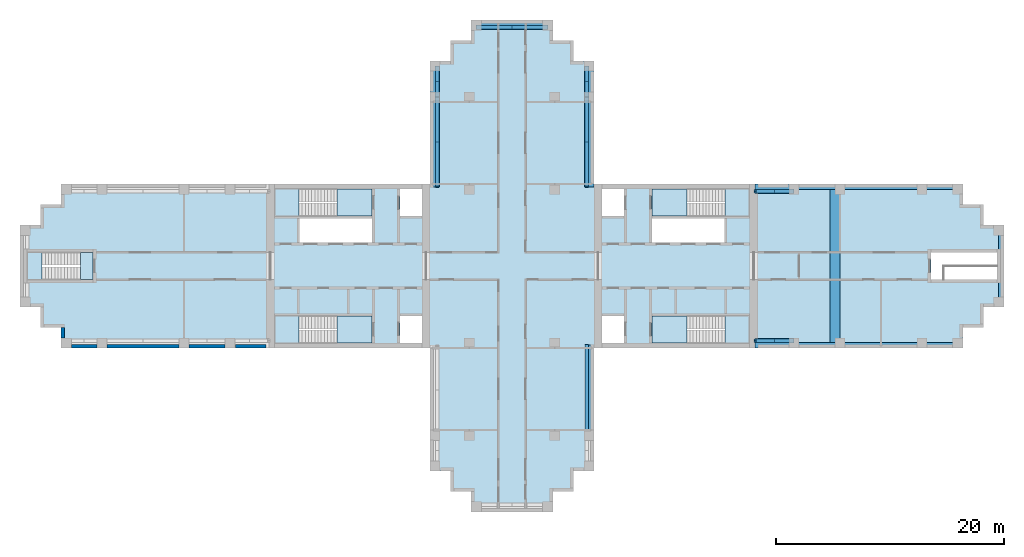
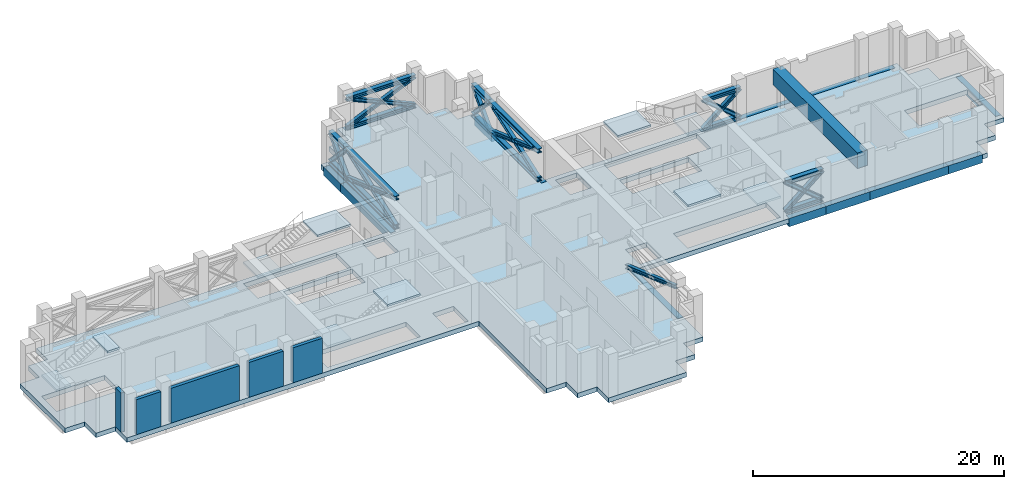
# One storey, part 2 of 9: 29 members, 16 beams, 11 slabs, 5 walls, 5 elements without a shape of their own.
"""IFC4 building model written with IfcOpenShell, lengths in metres."""

from ifc_helpers import new_model, si_unit, direction, frame, frame_2d, origin, origin_2d, place, context, subcontext, project, spatial, polyline, rectangle, i_section, outline, extrude, material, layer, layer_set, material_profile, profile_set, type_object, element, aggregate, save


model = new_model("IFC4")

# Units and contexts
model_context = context("Model", 3, precision=1e-05, world=origin(), true_north=direction((0.0, 1.0)))
body_context = subcontext(model_context, "Body", "Model", "MODEL_VIEW")
ifc_project = project(units=[si_unit("LENGTHUNIT", "METRE"), si_unit("AREAUNIT", "SQUARE_METRE"), si_unit("VOLUMEUNIT", "CUBIC_METRE"), si_unit("PLANEANGLEUNIT", "RADIAN"), si_unit("MASSUNIT", "GRAM", prefix="KILO")], contexts=[model_context])

# Site, building, storey
site_placement = place(None, origin())
site = spatial("IfcSite", under=ifc_project, at=site_placement, CompositionType="ELEMENT")
building_placement = place(site_placement, origin())
building = spatial("IfcBuilding", under=site, at=building_placement, Name="Fustian Cross Tower", CompositionType="ELEMENT")
storey_placement = place(building_placement, frame((0.0, 0.0, 162.300048828125)))
storey = spatial("IfcBuildingStorey", under=building, at=storey_placement, Name="L51", CompositionType="ELEMENT", Elevation=162.300048828125)

# Members
ifc_material_1 = material(Name="Steel S355", Category="steel")
ifc_material_profile_1 = material_profile(ifc_material_1, i_section(OverallWidth=0.318359375, OverallDepth=0.3525390625, WebThickness=0.02294921875, FlangeThickness=0.03759765625, FilletRadius=0.01513671875, at=origin_2d()), Name="UC 305x305x240")
ifc_profile_set_1 = profile_set([ifc_material_profile_1], Name="Steel S355")
member_type_1 = type_object("IfcMemberType", Name="BELT TRUSS BRACE UC 305x305x240 S355", PredefinedType="BRACE", material=ifc_profile_set_1)
for number, where, z_axis, x_axis, name in (
    (1, (21.35009765625, -6.570068359375, 0.39990234375), (0.772269488745, 0.0, 0.63529507849), (0.0, 1.0, 0.0), "BELT TRUSS BRACE L51-01X"),
    (2, (21.35009765625, -6.570068359375, 3.19677734375), (0.772269488745, 0.0, -0.63529507849), (0.0, 1.0, 0.0), "BELT TRUSS BRACE L51-01Y"),
    (3, (24.75, 6.570068359375, 0.39990234375), (-0.772269488745, 0.0, 0.63529507849), (0.0, -1.0, 0.0), "BELT TRUSS BRACE L51-02X"),
    (4, (24.75, 6.570068359375, 3.19677734375), (-0.772269488745, 0.0, -0.63529507849), (0.0, -1.0, 0.0), "BELT TRUSS BRACE L51-02Y"),
):
    element("IfcMember", number, at=place(storey_placement, frame(where, z_axis=z_axis, x_axis=x_axis)), inside=storey, type_object=member_type_1, Name=name, PredefinedType="BRACE", context=body_context, shape_type="SweptSolid", body=[
        extrude(i_section(OverallWidth=0.318359375, OverallDepth=0.3525390625, WebThickness=0.02294921875, FlangeThickness=0.03759765625, FilletRadius=0.01513671875, at=origin_2d()), origin(), (0.0, 0.0, 1.0), 4.402587890625),
    ])
for number, where, z_axis, x_axis, name in (
    (5, (6.570068359375, 6.949951171875, 0.39990234375), (0.0, 0.942668280841, 0.333731197667), (-1.0, 0.0, 0.0), "BELT TRUSS BRACE L51-03X"),
    (6, (6.570068359375, 6.949951171875, 3.19677734375), (0.0, 0.942668280841, -0.333731197667), (-1.0, 0.0, 0.0), "BELT TRUSS BRACE L51-03Y"),
):
    element("IfcMember", number, at=place(storey_placement, frame(where, z_axis=z_axis, x_axis=x_axis)), inside=storey, type_object=member_type_1, Name=name, PredefinedType="BRACE", context=body_context, shape_type="SweptSolid", body=[
        extrude(i_section(OverallWidth=0.318359375, OverallDepth=0.3525390625, WebThickness=0.02294921875, FlangeThickness=0.03759765625, FilletRadius=0.01513671875, at=origin_2d()), origin(), (0.0, 0.0, 1.0), 8.380615234375),
    ])
for number, where, z_axis, x_axis, name in (
    (7, (6.570068359375, 14.85009765625, 0.39990234375), (0.0, 0.69453062653, 0.719463139301), (-1.0, 0.0, 0.0), "BELT TRUSS BRACE L51-04X"),
    (8, (6.570068359375, 14.85009765625, 3.19677734375), (0.0, 0.69453062653, -0.719463139301), (-1.0, 0.0, 0.0), "BELT TRUSS BRACE L51-04Y"),
):
    element("IfcMember", number, at=place(storey_placement, frame(where, z_axis=z_axis, x_axis=x_axis)), inside=storey, type_object=member_type_1, Name=name, PredefinedType="BRACE", context=body_context, shape_type="SweptSolid", body=[
        extrude(i_section(OverallWidth=0.318359375, OverallDepth=0.3525390625, WebThickness=0.02294921875, FlangeThickness=0.03759765625, FilletRadius=0.01513671875, at=origin_2d()), origin(), (0.0, 0.0, 1.0), 3.887451171875),
    ])
for number, where, z_axis, x_axis, name in (
    (9, (3.14990234375, 20.969970703125, 0.39990234375), (-0.913975063302, 0.0, 0.405770358285), (0.0, -1.0, 0.0), "BELT TRUSS BRACE L51-05X"),
    (10, (3.14990234375, 20.969970703125, 3.19677734375), (-0.913975063302, 0.0, -0.405770358285), (0.0, -1.0, 0.0), "BELT TRUSS BRACE L51-05Y"),
):
    element("IfcMember", number, at=place(storey_placement, frame(where, z_axis=z_axis, x_axis=x_axis)), inside=storey, type_object=member_type_1, Name=name, PredefinedType="BRACE", context=body_context, shape_type="SweptSolid", body=[
        extrude(i_section(OverallWidth=0.318359375, OverallDepth=0.3525390625, WebThickness=0.02294921875, FlangeThickness=0.03759765625, FilletRadius=0.01513671875, at=origin_2d()), origin(), (0.0, 0.0, 1.0), 6.892822265625),
    ])
for number, where, z_axis, x_axis, name in (
    (11, (-6.570068359375, 17.550048828125, 0.39990234375), (0.0, -0.69453062653, 0.719463139301), (1.0, 0.0, 0.0), "BELT TRUSS BRACE L51-06X"),
    (12, (-6.570068359375, 17.550048828125, 3.19677734375), (0.0, -0.69453062653, -0.719463139301), (1.0, 0.0, 0.0), "BELT TRUSS BRACE L51-06Y"),
):
    element("IfcMember", number, at=place(storey_placement, frame(where, z_axis=z_axis, x_axis=x_axis)), inside=storey, type_object=member_type_1, Name=name, PredefinedType="BRACE", context=body_context, shape_type="SweptSolid", body=[
        extrude(i_section(OverallWidth=0.318359375, OverallDepth=0.3525390625, WebThickness=0.02294921875, FlangeThickness=0.03759765625, FilletRadius=0.01513671875, at=origin_2d()), origin(), (0.0, 0.0, 1.0), 3.887451171875),
    ])
for number, where, z_axis, x_axis, name in (
    (13, (-6.570068359375, 14.85009765625, 0.39990234375), (0.0, -0.942668280841, 0.333731197667), (1.0, 0.0, 0.0), "BELT TRUSS BRACE L51-07X"),
    (14, (-6.570068359375, 14.85009765625, 3.19677734375), (0.0, -0.942668280841, -0.333731197667), (1.0, 0.0, 0.0), "BELT TRUSS BRACE L51-07Y"),
    (15, (6.570068359375, -14.85009765625, 3.19677734375), (0.0, 0.942668280841, -0.333731197667), (-1.0, 0.0, 0.0), "BELT TRUSS BRACE L51-21Y"),
):
    element("IfcMember", number, at=place(storey_placement, frame(where, z_axis=z_axis, x_axis=x_axis)), inside=storey, type_object=member_type_1, Name=name, PredefinedType="BRACE", context=body_context, shape_type="SweptSolid", body=[
        extrude(i_section(OverallWidth=0.318359375, OverallDepth=0.3525390625, WebThickness=0.02294921875, FlangeThickness=0.03759765625, FilletRadius=0.01513671875, at=origin_2d()), origin(), (0.0, 0.0, 1.0), 8.380615234375),
    ])
ifc_material_2 = material(Name="Steel S355", Category="steel")
ifc_material_profile_2 = material_profile(ifc_material_2, i_section(OverallWidth=0.403076171875, OverallDepth=0.406494140625, WebThickness=0.026611328125, FlangeThickness=0.04296875, FilletRadius=0.01513671875, at=origin_2d()), Name="UC 356x406x340")
ifc_profile_set_2 = profile_set([ifc_material_profile_2], Name="Steel S355")
member_type_2 = type_object("IfcMemberType", Name="BELT TRUSS CHORD UC 356x406x340 S355", PredefinedType="CHORD", material=ifc_profile_set_2)
for number, where, z_axis, x_axis, name in (
    (16, (21.35009765625, -6.570068359375, 3.19677734375), (1.0, 0.0, 0.0), (0.0, 1.0, 0.0), "BELT TRUSS CHORD L51-01"),
    (17, (21.35009765625, -6.570068359375, 0.39990234375), (1.0, 0.0, 0.0), (0.0, 1.0, 0.0), "BELT TRUSS CHORD L51-01"),
    (18, (24.75, 6.570068359375, 3.19677734375), (-1.0, 0.0, 0.0), (0.0, -1.0, 0.0), "BELT TRUSS CHORD L51-02"),
    (19, (24.75, 6.570068359375, 0.39990234375), (-1.0, 0.0, 0.0), (0.0, -1.0, 0.0), "BELT TRUSS CHORD L51-02"),
):
    element("IfcMember", number, at=place(storey_placement, frame(where, z_axis=z_axis, x_axis=x_axis)), inside=storey, type_object=member_type_2, Name=name, PredefinedType="CHORD", context=body_context, shape_type="SweptSolid", body=[
        extrude(i_section(OverallWidth=0.403076171875, OverallDepth=0.406494140625, WebThickness=0.026611328125, FlangeThickness=0.04296875, FilletRadius=0.01513671875, at=origin_2d()), origin(), (0.0, 0.0, 1.0), 3.39990234375),
    ])
for number, where, z_axis, x_axis, name in (
    (20, (6.570068359375, 6.949951171875, 3.19677734375), (0.0, 1.0, 0.0), (-1.0, 0.0, 0.0), "BELT TRUSS CHORD L51-03"),
    (21, (6.570068359375, 6.949951171875, 0.39990234375), (0.0, 1.0, 0.0), (-1.0, 0.0, 0.0), "BELT TRUSS CHORD L51-03"),
):
    element("IfcMember", number, at=place(storey_placement, frame(where, z_axis=z_axis, x_axis=x_axis)), inside=storey, type_object=member_type_2, Name=name, PredefinedType="CHORD", context=body_context, shape_type="SweptSolid", body=[
        extrude(i_section(OverallWidth=0.403076171875, OverallDepth=0.406494140625, WebThickness=0.026611328125, FlangeThickness=0.04296875, FilletRadius=0.01513671875, at=origin_2d()), origin(), (0.0, 0.0, 1.0), 7.900146484375),
    ])
for number, where, z_axis, x_axis, name in (
    (22, (6.570068359375, 14.85009765625, 3.19677734375), (0.0, 1.0, 0.0), (-1.0, 0.0, 0.0), "BELT TRUSS CHORD L51-04"),
    (23, (6.570068359375, 14.85009765625, 0.39990234375), (0.0, 1.0, 0.0), (-1.0, 0.0, 0.0), "BELT TRUSS CHORD L51-04"),
):
    element("IfcMember", number, at=place(storey_placement, frame(where, z_axis=z_axis, x_axis=x_axis)), inside=storey, type_object=member_type_2, Name=name, PredefinedType="CHORD", context=body_context, shape_type="SweptSolid", body=[
        extrude(i_section(OverallWidth=0.403076171875, OverallDepth=0.406494140625, WebThickness=0.026611328125, FlangeThickness=0.04296875, FilletRadius=0.01513671875, at=origin_2d()), origin(), (0.0, 0.0, 1.0), 2.699951171875),
    ])
for number, where, z_axis, x_axis, name in (
    (24, (3.14990234375, 20.969970703125, 3.19677734375), (-1.0, 0.0, 0.0), (0.0, -1.0, 0.0), "BELT TRUSS CHORD L51-05"),
    (25, (3.14990234375, 20.969970703125, 0.39990234375), (-1.0, 0.0, 0.0), (0.0, -1.0, 0.0), "BELT TRUSS CHORD L51-05"),
):
    element("IfcMember", number, at=place(storey_placement, frame(where, z_axis=z_axis, x_axis=x_axis)), inside=storey, type_object=member_type_2, Name=name, PredefinedType="CHORD", context=body_context, shape_type="SweptSolid", body=[
        extrude(i_section(OverallWidth=0.403076171875, OverallDepth=0.406494140625, WebThickness=0.026611328125, FlangeThickness=0.04296875, FilletRadius=0.01513671875, at=origin_2d()), origin(), (0.0, 0.0, 1.0), 6.2998046875),
    ])
for number, where, z_axis, x_axis, name in (
    (26, (-6.570068359375, 17.550048828125, 3.19677734375), (0.0, -1.0, 0.0), (1.0, 0.0, 0.0), "BELT TRUSS CHORD L51-06"),
    (27, (-6.570068359375, 17.550048828125, 0.39990234375), (0.0, -1.0, 0.0), (1.0, 0.0, 0.0), "BELT TRUSS CHORD L51-06"),
):
    element("IfcMember", number, at=place(storey_placement, frame(where, z_axis=z_axis, x_axis=x_axis)), inside=storey, type_object=member_type_2, Name=name, PredefinedType="CHORD", context=body_context, shape_type="SweptSolid", body=[
        extrude(i_section(OverallWidth=0.403076171875, OverallDepth=0.406494140625, WebThickness=0.026611328125, FlangeThickness=0.04296875, FilletRadius=0.01513671875, at=origin_2d()), origin(), (0.0, 0.0, 1.0), 2.699951171875),
    ])
for number, where, z_axis, x_axis, name in (
    (28, (-6.570068359375, 14.85009765625, 3.19677734375), (0.0, -1.0, 0.0), (1.0, 0.0, 0.0), "BELT TRUSS CHORD L51-07"),
    (29, (-6.570068359375, 14.85009765625, 0.39990234375), (0.0, -1.0, 0.0), (1.0, 0.0, 0.0), "BELT TRUSS CHORD L51-07"),
):
    element("IfcMember", number, at=place(storey_placement, frame(where, z_axis=z_axis, x_axis=x_axis)), inside=storey, type_object=member_type_2, Name=name, PredefinedType="CHORD", context=body_context, shape_type="SweptSolid", body=[
        extrude(i_section(OverallWidth=0.403076171875, OverallDepth=0.406494140625, WebThickness=0.026611328125, FlangeThickness=0.04296875, FilletRadius=0.01513671875, at=origin_2d()), origin(), (0.0, 0.0, 1.0), 7.900146484375),
    ])

# Beams
ifc_material_3 = material(Name="Concrete C50/60", Category="concrete")
ifc_material_profile_3 = material_profile(ifc_material_3, rectangle(XDim=0.5, YDim=0.800048828125, at=origin_2d()), Name="RC 500x800")
ifc_profile_set_3 = profile_set([ifc_material_profile_3], Name="Concrete C50/60")
beam_type_1 = type_object("IfcBeamType", Name="EDGE BEAM RC 500x800 C50/60", PredefinedType="SPANDREL", material=ifc_profile_set_3)
beam_1_placement = place(storey_placement, frame((21.35009765625, -6.949951171875, -0.400146484375), z_axis=(1.0, 0.0, 0.0), x_axis=(0.0, 1.0, 0.0)))
element("IfcBeam", 30, at=beam_1_placement, inside=storey, type_object=beam_type_1, Name="EDGE BEAM L51-01", PredefinedType="SPANDREL", context=body_context, shape_type="SweptSolid", body=[
    extrude(rectangle(XDim=0.5, YDim=0.800048828125, at=origin_2d()), origin(), (0.0, 0.0, 1.0), 3.39990234375),
])
beam_2_placement = place(storey_placement, frame((24.75, -6.949951171875, -0.400146484375), z_axis=(1.0, 0.0, 0.0), x_axis=(0.0, 1.0, 0.0)))
element("IfcBeam", 31, at=beam_2_placement, inside=storey, type_object=beam_type_1, Name="EDGE BEAM L51-02", PredefinedType="SPANDREL", context=body_context, shape_type="SweptSolid", body=[
    extrude(rectangle(XDim=0.5, YDim=0.800048828125, at=origin_2d()), origin(), (0.0, 0.0, 1.0), 4.050048828125),
])
beam_3_placement = place(storey_placement, frame((28.800048828125, -6.949951171875, -0.400146484375), z_axis=(1.0, 0.0, 0.0), x_axis=(0.0, 1.0, 0.0)))
element("IfcBeam", 32, at=beam_3_placement, inside=storey, type_object=beam_type_1, Name="EDGE BEAM L51-03", PredefinedType="SPANDREL", context=body_context, shape_type="SweptSolid", body=[
    extrude(rectangle(XDim=0.5, YDim=0.800048828125, at=origin_2d()), origin(), (0.0, 0.0, 1.0), 7.199951171875),
])
beam_4_placement = place(storey_placement, frame((36.0, -6.949951171875, -0.400146484375), z_axis=(1.0, 0.0, 0.0), x_axis=(0.0, 1.0, 0.0)))
element("IfcBeam", 33, at=beam_4_placement, inside=storey, type_object=beam_type_1, Name="EDGE BEAM L51-04", PredefinedType="SPANDREL", context=body_context, shape_type="SweptSolid", body=[
    extrude(rectangle(XDim=0.5, YDim=0.800048828125, at=origin_2d()), origin(), (0.0, 0.0, 1.0), 3.14990234375),
])
beam_5_placement = place(storey_placement, frame((42.949951171875, -3.14990234375, -0.400146484375), z_axis=(0.0, 1.0, 0.0), x_axis=(-1.0, 0.0, 0.0)))
element("IfcBeam", 34, at=beam_5_placement, inside=storey, type_object=beam_type_1, Name="EDGE BEAM L51-05", PredefinedType="SPANDREL", context=body_context, shape_type="SweptSolid", body=[
    extrude(rectangle(XDim=0.5, YDim=0.800048828125, at=origin_2d()), origin(), (0.0, 0.0, 1.0), 6.2998046875),
])
beam_6_placement = place(storey_placement, frame((39.14990234375, 6.949951171875, -0.400146484375), z_axis=(-1.0, 0.0, 0.0), x_axis=(0.0, -1.0, 0.0)))
element("IfcBeam", 35, at=beam_6_placement, inside=storey, type_object=beam_type_1, Name="EDGE BEAM L51-06", PredefinedType="SPANDREL", context=body_context, shape_type="SweptSolid", body=[
    extrude(rectangle(XDim=0.5, YDim=0.800048828125, at=origin_2d()), origin(), (0.0, 0.0, 1.0), 3.14990234375),
])
beam_7_placement = place(storey_placement, frame((36.0, 6.949951171875, -0.400146484375), z_axis=(-1.0, 0.0, 0.0), x_axis=(0.0, -1.0, 0.0)))
element("IfcBeam", 36, at=beam_7_placement, inside=storey, type_object=beam_type_1, Name="EDGE BEAM L51-07", PredefinedType="SPANDREL", context=body_context, shape_type="SweptSolid", body=[
    extrude(rectangle(XDim=0.5, YDim=0.800048828125, at=origin_2d()), origin(), (0.0, 0.0, 1.0), 7.199951171875),
])
beam_8_placement = place(storey_placement, frame((28.800048828125, 6.949951171875, -0.400146484375), z_axis=(-1.0, 0.0, 0.0), x_axis=(0.0, -1.0, 0.0)))
element("IfcBeam", 37, at=beam_8_placement, inside=storey, type_object=beam_type_1, Name="EDGE BEAM L51-08", PredefinedType="SPANDREL", context=body_context, shape_type="SweptSolid", body=[
    extrude(rectangle(XDim=0.5, YDim=0.800048828125, at=origin_2d()), origin(), (0.0, 0.0, 1.0), 4.050048828125),
])
beam_9_placement = place(storey_placement, frame((24.75, 6.949951171875, -0.400146484375), z_axis=(-1.0, 0.0, 0.0), x_axis=(0.0, -1.0, 0.0)))
element("IfcBeam", 38, at=beam_9_placement, inside=storey, type_object=beam_type_1, Name="EDGE BEAM L51-09", PredefinedType="SPANDREL", context=body_context, shape_type="SweptSolid", body=[
    extrude(rectangle(XDim=0.5, YDim=0.800048828125, at=origin_2d()), origin(), (0.0, 0.0, 1.0), 3.39990234375),
])
beam_10_placement = place(storey_placement, frame((6.949951171875, 6.949951171875, -0.400146484375), z_axis=(0.0, 1.0, 0.0), x_axis=(-1.0, 0.0, 0.0)))
element("IfcBeam", 39, at=beam_10_placement, inside=storey, type_object=beam_type_1, Name="EDGE BEAM L51-10", PredefinedType="SPANDREL", context=body_context, shape_type="SweptSolid", body=[
    extrude(rectangle(XDim=0.5, YDim=0.800048828125, at=origin_2d()), origin(), (0.0, 0.0, 1.0), 7.900146484375),
])
beam_11_placement = place(storey_placement, frame((6.949951171875, 14.85009765625, -0.400146484375), z_axis=(0.0, 1.0, 0.0), x_axis=(-1.0, 0.0, 0.0)))
element("IfcBeam", 40, at=beam_11_placement, inside=storey, type_object=beam_type_1, Name="EDGE BEAM L51-11", PredefinedType="SPANDREL", context=body_context, shape_type="SweptSolid", body=[
    extrude(rectangle(XDim=0.5, YDim=0.800048828125, at=origin_2d()), origin(), (0.0, 0.0, 1.0), 2.699951171875),
])
beam_12_placement = place(storey_placement, frame((3.14990234375, 21.35009765625, -0.400146484375), z_axis=(-1.0, 0.0, 0.0), x_axis=(0.0, -1.0, 0.0)))
element("IfcBeam", 41, at=beam_12_placement, inside=storey, type_object=beam_type_1, Name="EDGE BEAM L51-12", PredefinedType="SPANDREL", context=body_context, shape_type="SweptSolid", body=[
    extrude(rectangle(XDim=0.5, YDim=0.800048828125, at=origin_2d()), origin(), (0.0, 0.0, 1.0), 6.2998046875),
])
beam_13_placement = place(storey_placement, frame((-6.949951171875, 17.550048828125, -0.400146484375), z_axis=(0.0, -1.0, 0.0), x_axis=(1.0, 0.0, 0.0)))
element("IfcBeam", 42, at=beam_13_placement, inside=storey, type_object=beam_type_1, Name="EDGE BEAM L51-13", PredefinedType="SPANDREL", context=body_context, shape_type="SweptSolid", body=[
    extrude(rectangle(XDim=0.5, YDim=0.800048828125, at=origin_2d()), origin(), (0.0, 0.0, 1.0), 2.699951171875),
])
for number, where, z_axis, x_axis, name in (
    (43, (-6.949951171875, 14.85009765625, -0.400146484375), (0.0, -1.0, 0.0), (1.0, 0.0, 0.0), "EDGE BEAM L51-14"),
    (44, (6.949951171875, -14.85009765625, -0.400146484375), (0.0, 1.0, 0.0), (-1.0, 0.0, 0.0), "EDGE BEAM L51-28"),
):
    element("IfcBeam", number, at=place(storey_placement, frame(where, z_axis=z_axis, x_axis=x_axis)), inside=storey, type_object=beam_type_1, Name=name, PredefinedType="SPANDREL", context=body_context, shape_type="SweptSolid", body=[
        extrude(rectangle(XDim=0.5, YDim=0.800048828125, at=origin_2d()), origin(), (0.0, 0.0, 1.0), 7.900146484375),
    ])
ifc_material_4 = material(Name="Concrete C60/75", Category="concrete")
ifc_material_profile_4 = material_profile(ifc_material_4, rectangle(XDim=0.89990234375, YDim=1.5, at=origin_2d()), Name="RC 900x1500")
ifc_profile_set_4 = profile_set([ifc_material_profile_4], Name="Concrete C60/75")
beam_type_2 = type_object("IfcBeamType", Name="TRANSFER GIRDER RC 900x1500 C60/75", PredefinedType="BEAM", material=ifc_profile_set_4)
beam_14_placement = place(storey_placement, frame((28.35009765625, -6.75, 3.050048828125), z_axis=(0.0, 1.0, 0.0), x_axis=(-1.0, 0.0, 0.0)))
element("IfcBeam", 45, at=beam_14_placement, inside=storey, type_object=beam_type_2, Name="TRANSFER GIRDER L51", PredefinedType="BEAM", context=body_context, shape_type="SweptSolid", body=[
    extrude(rectangle(XDim=0.89990234375, YDim=1.5, at=origin_2d()), origin(), (0.0, 0.0, 1.0), 13.5),
])

# Slab
ifc_material_5 = material(Name="Concrete C40/50", Category="concrete")
ifc_layer_1 = layer(ifc_material_5, 0.449951171875)
ifc_layer_set_1 = layer_set([ifc_layer_1], Name="Concrete C40/50")
slab_type_1 = type_object("IfcSlabType", Name="FLAT SLAB 450", PredefinedType="FLOOR", material=ifc_layer_set_1)
slab_1_placement = place(storey_placement, frame((0.0, 0.0, -0.449951171875)))
element("IfcSlab", 46, at=slab_1_placement, inside=storey, type_object=slab_type_1, Name="FLOOR SLAB L51-1", PredefinedType="FLOOR", context=body_context, shape_type="SweptSolid", body=[
    extrude(outline(polyline([(-7.199951171875, -7.199951171875), (-39.60009765625, -7.199951171875), (-39.60009765625, -5.39990234375), (-41.39990234375, -5.39990234375), (-41.39990234375, -3.60009765625), (-43.199951171875, -3.60009765625), (-43.199951171875, 3.60009765625), (-41.39990234375, 3.60009765625), (-41.39990234375, 5.39990234375), (-39.60009765625, 5.39990234375), (-39.60009765625, 7.199951171875), (-7.199951171875, 7.199951171875), (-7.199951171875, 18.0), (-5.39990234375, 18.0), (-5.39990234375, 19.800048828125), (-3.60009765625, 19.800048828125), (-3.60009765625, 21.60009765625), (3.60009765625, 21.60009765625), (3.60009765625, 19.800048828125), (5.39990234375, 19.800048828125), (5.39990234375, 18.0), (7.199951171875, 18.0), (7.199951171875, 7.199951171875), (39.60009765625, 7.199951171875), (39.60009765625, 5.39990234375), (41.39990234375, 5.39990234375), (41.39990234375, 3.60009765625), (43.199951171875, 3.60009765625), (43.199951171875, -3.60009765625), (41.39990234375, -3.60009765625), (41.39990234375, -5.39990234375), (39.60009765625, -5.39990234375), (39.60009765625, -7.199951171875), (7.199951171875, -7.199951171875), (7.199951171875, -18.0), (5.39990234375, -18.0), (5.39990234375, -19.800048828125), (3.60009765625, -19.800048828125), (3.60009765625, -21.60009765625), (-3.60009765625, -21.60009765625), (-3.60009765625, -19.800048828125), (-5.39990234375, -19.800048828125), (-5.39990234375, -18.0), (-7.199951171875, -18.0), (-7.199951171875, -7.199951171875)]), holes=[polyline([(9.85009765625, 4.39990234375), (9.85009765625, 6.75), (7.89990234375, 6.75), (7.89990234375, 4.39990234375), (9.85009765625, 4.39990234375)]), polyline([(7.89990234375, -6.75), (9.85009765625, -6.75), (9.85009765625, -4.39990234375), (7.89990234375, -4.39990234375), (7.89990234375, -6.75)]), polyline([(-9.85009765625, 6.75), (-9.85009765625, 4.39990234375), (-7.89990234375, 4.39990234375), (-7.89990234375, 6.75), (-9.85009765625, 6.75)]), polyline([(-7.89990234375, -4.39990234375), (-9.85009765625, -4.39990234375), (-9.85009765625, -6.75), (-7.89990234375, -6.75), (-7.89990234375, -4.39990234375)]), polyline([(18.64990234375, 2.050048828125), (18.64990234375, 4.14990234375), (12.300048828125, 4.14990234375), (12.300048828125, 2.050048828125), (18.64990234375, 2.050048828125)]), polyline([(-18.64990234375, 2.050048828125), (-12.300048828125, 2.050048828125), (-12.300048828125, 4.14990234375), (-18.64990234375, 4.14990234375), (-18.64990234375, 2.050048828125)]), polyline([(12.300048828125, 6.699951171875), (12.300048828125, 4.39990234375), (20.85009765625, 4.39990234375), (20.85009765625, 6.699951171875), (12.300048828125, 6.699951171875)]), polyline([(20.85009765625, -4.39990234375), (12.300048828125, -4.39990234375), (12.300048828125, -6.699951171875), (20.85009765625, -6.699951171875), (20.85009765625, -4.39990234375)]), polyline([(-12.300048828125, 4.39990234375), (-12.300048828125, 6.699951171875), (-20.85009765625, 6.699951171875), (-20.85009765625, 4.39990234375), (-12.300048828125, 4.39990234375)]), polyline([(-20.85009765625, -6.699951171875), (-12.300048828125, -6.699951171875), (-12.300048828125, -4.39990234375), (-20.85009765625, -4.39990234375), (-20.85009765625, -6.699951171875)]), polyline([(36.800048828125, 1.199951171875), (36.800048828125, -1.199951171875), (42.60009765625, -1.199951171875), (42.60009765625, 1.199951171875), (36.800048828125, 1.199951171875)]), polyline([(-36.800048828125, 1.199951171875), (-42.60009765625, 1.199951171875), (-42.60009765625, -1.199951171875), (-36.800048828125, -1.199951171875), (-36.800048828125, 1.199951171875)])]), origin(), (0.0, 0.0, 1.0), 0.449951171875),
])

# Stair, slabs
ifc_material_6 = material(Name="Concrete C50/60", Category="concrete")
stair_type_1 = type_object("IfcStairType", Name="STAIR 1150 HALF TURN", PredefinedType="HALF_TURN_STAIR", material=ifc_material_6)
stair_1_placement = place(storey_placement, origin())
stair_1 = element("IfcStair", 47, at=stair_1_placement, inside=storey, type_object=stair_type_1, Name="Stair ST1", PredefinedType="HALF_TURN_STAIR")
ifc_material_7 = material(Name="Concrete C50/60", Category="concrete")
ifc_layer_2 = layer(ifc_material_7, 0.199951171875)
ifc_layer_set_2 = layer_set([ifc_layer_2], Name="Concrete C50/60")
slab_type_2 = type_object("IfcSlabType", Name="STAIR LANDING", PredefinedType="LANDING", material=ifc_layer_set_2)
slab_2_placement = place(storey_placement, frame((0.0, 0.0, 1.89990234375)))
slab_2 = element("IfcSlab", 48, at=slab_2_placement, type_object=slab_type_2, Name="ST1 landing 1", PredefinedType="LANDING", context=body_context, shape_type="SweptSolid", body=[
    extrude(outline(polyline([(18.7099609375, 4.39990234375), (20.85009765625, 4.39990234375), (20.85009765625, 6.75), (18.7099609375, 6.75), (18.7099609375, 4.39990234375)])), origin(), (0.0, 0.0, 1.0), 0.199951171875),
])
slab_3_placement = place(storey_placement, frame((0.0, 0.0, 4.0)))
slab_3 = element("IfcSlab", 49, at=slab_3_placement, type_object=slab_type_2, Name="ST1 landing 2", PredefinedType="LANDING", context=body_context, shape_type="SweptSolid", body=[
    extrude(outline(polyline([(12.300048828125, 4.39990234375), (15.35009765625, 4.39990234375), (15.35009765625, 6.75), (12.300048828125, 6.75), (12.300048828125, 4.39990234375)])), origin(), (0.0, 0.0, 1.0), 0.199951171875),
])
aggregate(stair_1, [slab_2, slab_3])

stair_2_placement = place(storey_placement, origin())
stair_2 = element("IfcStair", 50, at=stair_2_placement, inside=storey, type_object=stair_type_1, Name="Stair ST2", PredefinedType="HALF_TURN_STAIR")
slab_4_placement = place(storey_placement, frame((0.0, 0.0, 1.89990234375)))
slab_4 = element("IfcSlab", 51, at=slab_4_placement, type_object=slab_type_2, Name="ST2 landing 1", PredefinedType="LANDING", context=body_context, shape_type="SweptSolid", body=[
    extrude(outline(polyline([(18.7099609375, -4.39990234375), (20.85009765625, -4.39990234375), (20.85009765625, -6.75), (18.7099609375, -6.75), (18.7099609375, -4.39990234375)])), origin(), (0.0, 0.0, 1.0), 0.199951171875),
])
slab_5_placement = place(storey_placement, frame((0.0, 0.0, 4.0)))
slab_5 = element("IfcSlab", 52, at=slab_5_placement, type_object=slab_type_2, Name="ST2 landing 2", PredefinedType="LANDING", context=body_context, shape_type="SweptSolid", body=[
    extrude(outline(polyline([(12.300048828125, -4.39990234375), (15.35009765625, -4.39990234375), (15.35009765625, -6.75), (12.300048828125, -6.75), (12.300048828125, -4.39990234375)])), origin(), (0.0, 0.0, 1.0), 0.199951171875),
])
aggregate(stair_2, [slab_4, slab_5])

stair_3_placement = place(storey_placement, origin())
stair_3 = element("IfcStair", 53, at=stair_3_placement, inside=storey, type_object=stair_type_1, Name="Stair ST3", PredefinedType="HALF_TURN_STAIR")
slab_6_placement = place(storey_placement, frame((0.0, 0.0, 1.89990234375)))
slab_6 = element("IfcSlab", 54, at=slab_6_placement, type_object=slab_type_2, Name="ST3 landing 1", PredefinedType="LANDING", context=body_context, shape_type="SweptSolid", body=[
    extrude(outline(polyline([(-18.7099609375, 4.39990234375), (-20.85009765625, 4.39990234375), (-20.85009765625, 6.75), (-18.7099609375, 6.75), (-18.7099609375, 4.39990234375)])), origin(), (0.0, 0.0, 1.0), 0.199951171875),
])
slab_7_placement = place(storey_placement, frame((0.0, 0.0, 4.0)))
slab_7 = element("IfcSlab", 55, at=slab_7_placement, type_object=slab_type_2, Name="ST3 landing 2", PredefinedType="LANDING", context=body_context, shape_type="SweptSolid", body=[
    extrude(outline(polyline([(-12.300048828125, 4.39990234375), (-15.35009765625, 4.39990234375), (-15.35009765625, 6.75), (-12.300048828125, 6.75), (-12.300048828125, 4.39990234375)])), origin(), (0.0, 0.0, 1.0), 0.199951171875),
])
aggregate(stair_3, [slab_6, slab_7])

stair_4_placement = place(storey_placement, origin())
stair_4 = element("IfcStair", 56, at=stair_4_placement, inside=storey, type_object=stair_type_1, Name="Stair ST4", PredefinedType="HALF_TURN_STAIR")
slab_8_placement = place(storey_placement, frame((0.0, 0.0, 1.89990234375)))
slab_8 = element("IfcSlab", 57, at=slab_8_placement, type_object=slab_type_2, Name="ST4 landing 1", PredefinedType="LANDING", context=body_context, shape_type="SweptSolid", body=[
    extrude(outline(polyline([(-18.7099609375, -4.39990234375), (-20.85009765625, -4.39990234375), (-20.85009765625, -6.75), (-18.7099609375, -6.75), (-18.7099609375, -4.39990234375)])), origin(), (0.0, 0.0, 1.0), 0.199951171875),
])
slab_9_placement = place(storey_placement, frame((0.0, 0.0, 4.0)))
slab_9 = element("IfcSlab", 58, at=slab_9_placement, type_object=slab_type_2, Name="ST4 landing 2", PredefinedType="LANDING", context=body_context, shape_type="SweptSolid", body=[
    extrude(outline(polyline([(-12.300048828125, -4.39990234375), (-15.35009765625, -4.39990234375), (-15.35009765625, -6.75), (-12.300048828125, -6.75), (-12.300048828125, -4.39990234375)])), origin(), (0.0, 0.0, 1.0), 0.199951171875),
])
aggregate(stair_4, [slab_8, slab_9])

ifc_material_8 = material(Name="Concrete C50/60", Category="concrete")
stair_type_2 = type_object("IfcStairType", Name="STAIR 1100 HALF TURN", PredefinedType="HALF_TURN_STAIR", material=ifc_material_8)
stair_5_placement = place(storey_placement, origin())
stair_5 = element("IfcStair", 59, at=stair_5_placement, inside=storey, type_object=stair_type_2, Name="Stair ST9", PredefinedType="HALF_TURN_STAIR")
slab_10_placement = place(storey_placement, frame((0.0, 0.0, 1.89990234375)))
slab_10 = element("IfcSlab", 60, at=slab_10_placement, type_object=slab_type_2, Name="ST9 landing 1", PredefinedType="LANDING", context=body_context, shape_type="SweptSolid", body=[
    extrude(outline(polyline([(-41.260009765625, -1.199951171875), (-42.60009765625, -1.199951171875), (-42.60009765625, 1.199951171875), (-41.260009765625, 1.199951171875), (-41.260009765625, -1.199951171875)])), origin(), (0.0, 0.0, 1.0), 0.199951171875),
])
slab_11_placement = place(storey_placement, frame((0.0, 0.0, 4.0)))
slab_11 = element("IfcSlab", 61, at=slab_11_placement, type_object=slab_type_2, Name="ST9 landing 2", PredefinedType="LANDING", context=body_context, shape_type="SweptSolid", body=[
    extrude(outline(polyline([(-36.800048828125, -1.199951171875), (-37.89990234375, -1.199951171875), (-37.89990234375, 1.199951171875), (-36.800048828125, 1.199951171875), (-36.800048828125, -1.199951171875)])), origin(), (0.0, 0.0, 1.0), 0.199951171875),
])
aggregate(stair_5, [slab_10, slab_11])

# Walls
ifc_material_9 = material(Name="Dark aluminium louvres on insulated backing wall", Category="aluminium")
ifc_layer_3 = layer(ifc_material_9, 0.300048828125)
ifc_layer_set_3 = layer_set([ifc_layer_3], Name="Dark aluminium louvres on insulated backing wall")
wall_type = type_object("IfcWallType", Name="XW2 LOUVRED PLANT WALL 300", PredefinedType="SOLIDWALL", material=ifc_layer_set_3)
wall_1_placement = place(storey_placement, frame((-39.449951171875, -5.39990234375, 0.0), z_axis=(0.0, 0.0, 1.0), x_axis=(0.0, -1.0, 0.0)))
element("IfcWall", 62, at=wall_1_placement, inside=storey, type_object=wall_type, Name="Plant louvre wall", PredefinedType="SOLIDWALL", context=body_context, shape_type="SweptSolid", body=[
    extrude(rectangle(XDim=0.900146484375, YDim=0.300048828125, at=frame_2d((0.4501953125, 0.0))), origin(), (0.0, 0.0, 1.0), 3.800048828125),
])
wall_2_placement = place(storey_placement, frame((-38.699951171875, -7.050048828125, 0.0), z_axis=(0.0, 0.0, 1.0), x_axis=(1.0, 0.0, 0.0)))
element("IfcWall", 63, at=wall_2_placement, inside=storey, type_object=wall_type, Name="Plant louvre wall", PredefinedType="SOLIDWALL", context=body_context, shape_type="SweptSolid", body=[
    extrude(rectangle(XDim=2.25, YDim=0.300048828125, at=frame_2d((1.125, 0.0))), origin(), (0.0, 0.0, 1.0), 3.39990234375),
])
wall_3_placement = place(storey_placement, frame((-35.550048828125, -7.050048828125, 0.0), z_axis=(0.0, 0.0, 1.0), x_axis=(1.0, 0.0, 0.0)))
element("IfcWall", 64, at=wall_3_placement, inside=storey, type_object=wall_type, Name="Plant louvre wall", PredefinedType="SOLIDWALL", context=body_context, shape_type="SweptSolid", body=[
    extrude(rectangle(XDim=6.300048828125, YDim=0.300048828125, at=frame_2d((3.14990234375, 0.0))), origin(), (0.0, 0.0, 1.0), 3.39990234375),
])
wall_4_placement = place(storey_placement, frame((-28.35009765625, -7.050048828125, 0.0), z_axis=(0.0, 0.0, 1.0), x_axis=(1.0, 0.0, 0.0)))
element("IfcWall", 65, at=wall_4_placement, inside=storey, type_object=wall_type, Name="Plant louvre wall", PredefinedType="SOLIDWALL", context=body_context, shape_type="SweptSolid", body=[
    extrude(rectangle(XDim=3.150146484375, YDim=0.300048828125, at=frame_2d((1.5751953125, 0.0))), origin(), (0.0, 0.0, 1.0), 3.39990234375),
])
wall_5_placement = place(storey_placement, frame((-24.300048828125, -7.050048828125, 0.0), z_axis=(0.0, 0.0, 1.0), x_axis=(1.0, 0.0, 0.0)))
element("IfcWall", 66, at=wall_5_placement, inside=storey, type_object=wall_type, Name="Plant louvre wall", PredefinedType="SOLIDWALL", context=body_context, shape_type="SweptSolid", body=[
    extrude(rectangle(XDim=2.699951171875, YDim=0.300048828125, at=frame_2d((1.35009765625, 0.0))), origin(), (0.0, 0.0, 1.0), 3.39990234375),
])

save(model, "model.ifc")
